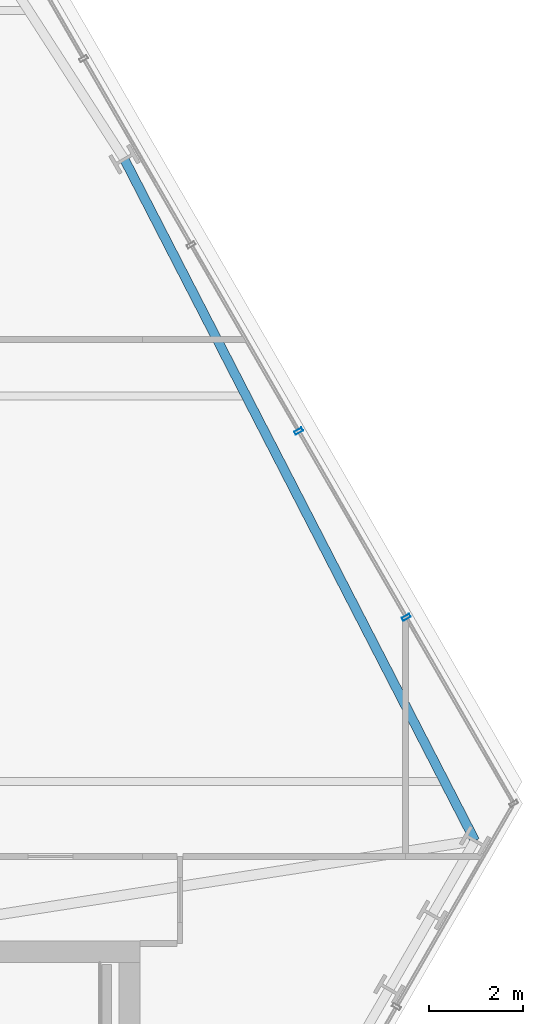
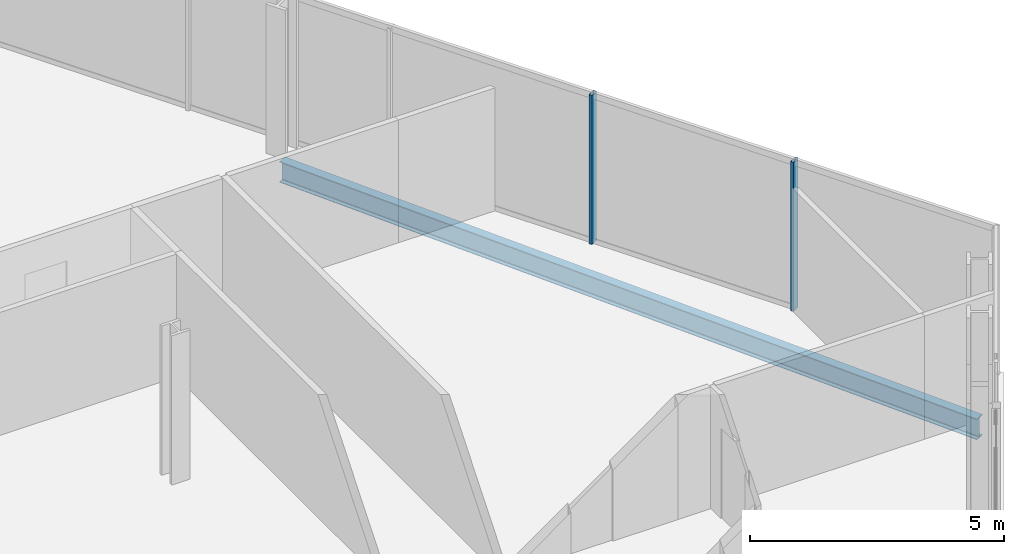
# One storey, part 19 of 32: 2 members, 1 beam, 1 element without a shape of its own.
"""IFC4 building model written with IfcOpenShell, lengths in metres."""

from ifc_helpers import new_model, si_unit, direction, frame, origin, origin_2d, place, context, subcontext, project, spatial, hollow_rectangle, i_section, extrude, material, layer, layer_set, material_profile, profile_set, type_object, element, aggregate, save


model = new_model("IFC4")

# Units and contexts
model_context = context("Model", 3, precision=1e-05, world=origin(), true_north=direction((0.0, 1.0)))
body_context = subcontext(model_context, "Body", "Model", "MODEL_VIEW")
ifc_project = project(units=[si_unit("LENGTHUNIT", "METRE"), si_unit("AREAUNIT", "SQUARE_METRE"), si_unit("VOLUMEUNIT", "CUBIC_METRE"), si_unit("PLANEANGLEUNIT", "RADIAN"), si_unit("MASSUNIT", "GRAM", prefix="KILO")], contexts=[model_context])

# Site, building, storey
site_placement = place(None, origin())
site = spatial("IfcSite", under=ifc_project, at=site_placement, CompositionType="ELEMENT")
building_placement = place(site_placement, origin())
building = spatial("IfcBuilding", under=site, at=building_placement, Name="Ndaravel Arena Tower", CompositionType="ELEMENT")
storey_placement = place(building_placement, frame((0.0, 0.0, 70.199951171875)))
storey = spatial("IfcBuildingStorey", under=building, at=storey_placement, Name="L15", CompositionType="ELEMENT", Elevation=70.199951171875)

# Beam
ifc_material_1 = material(Name="Steel S355", Category="steel")
ifc_material_profile_1 = material_profile(ifc_material_1, i_section(OverallWidth=0.199951171875, OverallDepth=0.5, WebThickness=0.01025390625, FlangeThickness=0.01611328125, FilletRadius=0.02099609375, at=origin_2d()), Name="IPE 500")
ifc_profile_set_1 = profile_set([ifc_material_profile_1], Name="Steel S355")
beam_type = type_object("IfcBeamType", Name="BM-SPAN-IPE500", PredefinedType="SPANDREL", material=ifc_profile_set_1)
beam_placement = place(storey_placement, frame((64.675537109375, 17.336669921875, -0.469970703125), z_axis=(-0.457437664156, 0.8892416901, 0.0), x_axis=(-0.8892416901, -0.457437664156, 0.0)))
element("IfcBeam", 1, at=beam_placement, inside=storey, type_object=beam_type, Name="L15 Perimeter Spandrel Beam SP-09", PredefinedType="SPANDREL", context=body_context, shape_type="SweptSolid", body=[
    extrude(i_section(OverallWidth=0.199951171875, OverallDepth=0.5, WebThickness=0.01025390625, FlangeThickness=0.01611328125, FilletRadius=0.02099609375, at=origin_2d()), origin(), (0.0, 0.0, 1.0), 16.305419921875),
])

# Curtain wall, members
ifc_material_2 = material(Name="Aluminium", Category="aluminium")
ifc_layer = layer(ifc_material_2, 0.179931640625)
ifc_layer_set = layer_set([ifc_layer], Name="Aluminium")
curtain_wall_type = type_object("IfcCurtainWallType", Name="CW-SYS-03", PredefinedType="NOTDEFINED", material=ifc_layer_set)
curtain_wall_placement = place(storey_placement, origin())
curtain_wall = element("IfcCurtainWall", 2, at=curtain_wall_placement, inside=storey, type_object=curtain_wall_type, Name="L15 Faceted Crystal Curtain Wall CW-L15-E03", PredefinedType="NOTDEFINED")
ifc_material_3 = material(Name="Aluminium", Category="aluminium")
ifc_material_profile_2 = material_profile(ifc_material_3, hollow_rectangle(XDim=0.074951171875, YDim=0.179931640625, WallThickness=0.00390625, at=origin_2d()), Name="CW MULLION 75x180x4")
ifc_profile_set_2 = profile_set([ifc_material_profile_2], Name="Aluminium")
member_type = type_object("IfcMemberType", Name="MEM-CW-MUL180", PredefinedType="MULLION", material=ifc_profile_set_2)
member_1_placement = place(storey_placement, frame((63.213623046875, 22.089599609375, 0.0), z_axis=(0.0, 0.0, 1.0), x_axis=(-0.5, 0.866025403784, 0.0)))
member_1 = element("IfcMember", 3, at=member_1_placement, type_object=member_type, Name="CW-L15-E03 Mullion 01", PredefinedType="MULLION", context=body_context, shape_type="SweptSolid", body=[
    extrude(hollow_rectangle(XDim=0.074951171875, YDim=0.179931640625, WallThickness=0.00390625, at=origin_2d()), origin(), (0.0, 0.0, 1.0), 3.580078125),
])
member_2_placement = place(storey_placement, frame((60.92578125, 26.052490234375, 0.0), z_axis=(0.0, 0.0, 1.0), x_axis=(-0.5, 0.866025403784, 0.0)))
member_2 = element("IfcMember", 4, at=member_2_placement, type_object=member_type, Name="CW-L15-E03 Mullion 02", PredefinedType="MULLION", context=body_context, shape_type="SweptSolid", body=[
    extrude(hollow_rectangle(XDim=0.074951171875, YDim=0.179931640625, WallThickness=0.00390625, at=origin_2d()), origin(), (0.0, 0.0, 1.0), 3.580078125),
])
aggregate(curtain_wall, [member_1, member_2])

save(model, "model.ifc")
